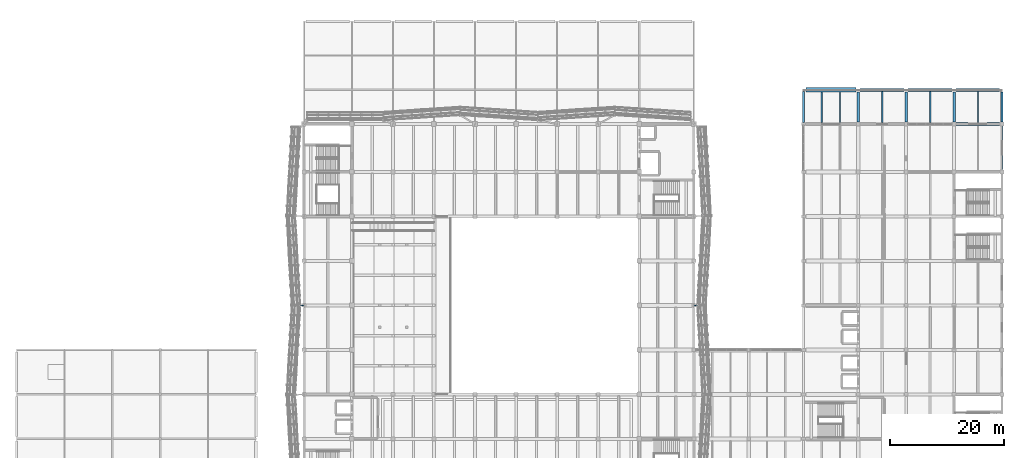
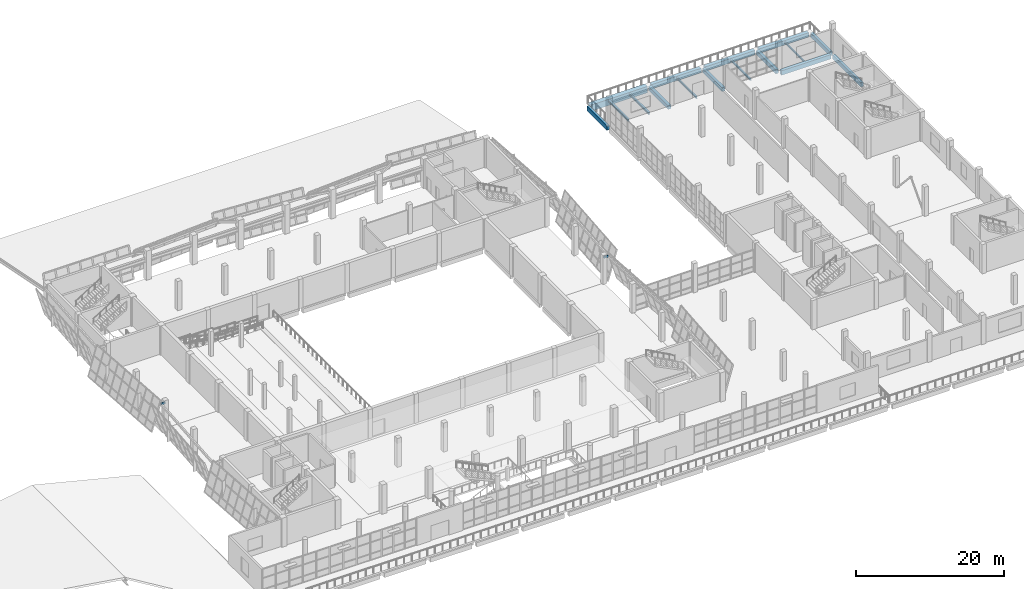
# One storey, part 47 of 79: 18 beams.
"""IFC4 building model written with IfcOpenShell, lengths in metres."""

from ifc_helpers import new_model, si_unit, direction, frame, origin, origin_2d, place, context, subcontext, project, spatial, rectangle, hollow_rectangle, i_section, extrude, material, material_profile, profile_set, type_object, element, save


model = new_model("IFC4")

# Units and contexts
model_context = context("Model", 3, precision=1e-05, world=origin(), true_north=direction((0.0, 1.0)))
body_context = subcontext(model_context, "Body", "Model", "MODEL_VIEW")
ifc_project = project(units=[si_unit("LENGTHUNIT", "METRE"), si_unit("AREAUNIT", "SQUARE_METRE"), si_unit("VOLUMEUNIT", "CUBIC_METRE"), si_unit("PLANEANGLEUNIT", "RADIAN"), si_unit("MASSUNIT", "GRAM", prefix="KILO")], contexts=[model_context])

# Site, building, storey
site_placement = place(None, origin())
site = spatial("IfcSite", under=ifc_project, at=site_placement, CompositionType="ELEMENT")
building_placement = place(site_placement, origin())
building = spatial("IfcBuilding", under=site, at=building_placement, Name="Pellamere Symphony Hall", CompositionType="ELEMENT")
storey_placement = place(building_placement, frame((0.0, 0.0, 10.199951171875)))
storey = spatial("IfcBuildingStorey", under=building, at=storey_placement, Name="L02", CompositionType="ELEMENT", Elevation=10.199951171875)

# Beams
ifc_material_1 = material(Name="Concrete 40 MPa", Category="concrete")
ifc_material_profile_1 = material_profile(ifc_material_1, rectangle(XDim=0.449951171875, YDim=0.64990234375, at=origin_2d()), Name="RC 450x650")
ifc_profile_set_1 = profile_set([ifc_material_profile_1], Name="Concrete 40 MPa")
beam_type_1 = type_object("IfcBeamType", Name="RC CB-08 450x650", PredefinedType="BEAM", material=ifc_profile_set_1)
for number, where, z_axis, x_axis, name in (
    (1, (147.60009765625, 93.949951171875, -0.60498046875), (0.0, 1.0, 0.0), (-1.0, 0.0, 0.0), "Girder CB-08-Y1364 (L02)"),
    (2, (156.0, 93.949951171875, -0.60498046875), (0.0, 1.0, 0.0), (-1.0, 0.0, 0.0), "Girder CB-08-Y1375 (L02)"),
    (3, (164.39990234375, 93.949951171875, -0.60498046875), (0.0, 1.0, 0.0), (-1.0, 0.0, 0.0), "Girder CB-08-Y1386 (L02)"),
):
    element("IfcBeam", number, at=place(storey_placement, frame(where, z_axis=z_axis, x_axis=x_axis)), inside=storey, type_object=beam_type_1, Name=name, PredefinedType="BEAM", context=body_context, shape_type="SweptSolid", body=[
        extrude(rectangle(XDim=0.449951171875, YDim=0.64990234375, at=origin_2d()), origin(), (0.0, 0.0, 1.0), 5.300048828125),
    ])
ifc_material_profile_2 = material_profile(ifc_material_1, rectangle(XDim=0.39990234375, YDim=0.699951171875, at=origin_2d()), Name="RC 400x700")
ifc_profile_set_2 = profile_set([ifc_material_profile_2], Name="Concrete 40 MPa")
beam_type_2 = type_object("IfcBeamType", Name="RC CB-13 400x700", PredefinedType="SPANDREL", material=ifc_profile_set_2)
beam_1_placement = place(storey_placement, frame((138.0, 93.875, -0.6298828125), z_axis=(0.0, 1.0, 0.0), x_axis=(-1.0, 0.0, 0.0)))
element("IfcBeam", 4, at=beam_1_placement, inside=storey, type_object=beam_type_2, Name="Girder CB-13-Y1353 (L02)", PredefinedType="SPANDREL", context=body_context, shape_type="SweptSolid", body=[
    extrude(rectangle(XDim=0.39990234375, YDim=0.699951171875, at=origin_2d()), origin(), (0.0, 0.0, 1.0), 5.449951171875),
])
beam_2_placement = place(storey_placement, frame((172.800048828125, 85.590087890625, -0.6298828125), z_axis=(0.0, 1.0, 0.0), x_axis=(-1.0, 0.0, 0.0)))
element("IfcBeam", 5, at=beam_2_placement, inside=storey, type_object=beam_type_2, Name="Girder CB-13-Y1393 (L02)", PredefinedType="SPANDREL", context=body_context, shape_type="SweptSolid", body=[
    extrude(rectangle(XDim=0.39990234375, YDim=0.699951171875, at=origin_2d()), origin(), (0.0, 0.0, 1.0), 7.619873046875),
])
beam_3_placement = place(storey_placement, frame((172.800048828125, 93.989990234375, -0.6298828125), z_axis=(0.0, 1.0, 0.0), x_axis=(-1.0, 0.0, 0.0)))
element("IfcBeam", 6, at=beam_3_placement, inside=storey, type_object=beam_type_2, Name="Girder CB-13-Y1394 (L02)", PredefinedType="SPANDREL", context=body_context, shape_type="SweptSolid", body=[
    extrude(rectangle(XDim=0.39990234375, YDim=0.699951171875, at=origin_2d()), origin(), (0.0, 0.0, 1.0), 5.219970703125),
])
ifc_material_profile_3 = material_profile(ifc_material_1, rectangle(XDim=0.47998046875, YDim=0.719970703125, at=origin_2d()), Name="RC 480x720")
ifc_profile_set_3 = profile_set([ifc_material_profile_3], Name="Concrete 40 MPa")
beam_type_3 = type_object("IfcBeamType", Name="RC CB-14 480x720", PredefinedType="SPANDREL", material=ifc_profile_set_3)
beam_4_placement = place(storey_placement, frame((164.75, 93.60009765625, -0.639892578125), z_axis=(1.0, 0.0, 0.0), x_axis=(0.0, 1.0, 0.0)))
element("IfcBeam", 7, at=beam_4_placement, inside=storey, type_object=beam_type_3, Name="Girder CB-14-X1189 (L02)", PredefinedType="SPANDREL", context=body_context, shape_type="SweptSolid", body=[
    extrude(rectangle(XDim=0.47998046875, YDim=0.719970703125, at=origin_2d()), origin(), (0.0, 0.0, 1.0), 7.659912109375),
])
ifc_material_profile_4 = material_profile(ifc_material_1, rectangle(XDim=0.719970703125, YDim=1.02001953125, at=origin_2d()), Name="RC 720x1020")
ifc_profile_set_4 = profile_set([ifc_material_profile_4], Name="Concrete 40 MPa")
beam_type_4 = type_object("IfcBeamType", Name="RC CB-23 720x1020", PredefinedType="BEAM", material=ifc_profile_set_4)
beam_5_placement = place(storey_placement, frame((138.39990234375, 99.60009765625, -0.7900390625), z_axis=(1.0, 0.0, 0.0), x_axis=(0.0, 1.0, 0.0)))
element("IfcBeam", 8, at=beam_5_placement, inside=storey, type_object=beam_type_4, Name="Girder CB-23-X1195 (L02)", PredefinedType="BEAM", context=body_context, shape_type="SweptSolid", body=[
    extrude(rectangle(XDim=0.719970703125, YDim=1.02001953125, at=origin_2d()), origin(), (0.0, 0.0, 1.0), 8.85009765625),
])
ifc_material_profile_5 = material_profile(ifc_material_1, rectangle(XDim=0.5400390625, YDim=0.719970703125, at=origin_2d()), Name="RC 540x720")
ifc_profile_set_5 = profile_set([ifc_material_profile_5], Name="Concrete 40 MPa")
beam_type_5 = type_object("IfcBeamType", Name="RC CB-24 540x720", PredefinedType="BEAM", material=ifc_profile_set_5)
for number, where, z_axis, x_axis, name in (
    (9, (147.949951171875, 99.60009765625, -0.639892578125), (1.0, 0.0, 0.0), (0.0, 1.0, 0.0), "Girder CB-24-X1196 (L02)"),
    (10, (156.35009765625, 99.60009765625, -0.639892578125), (1.0, 0.0, 0.0), (0.0, 1.0, 0.0), "Girder CB-24-X1197 (L02)"),
):
    element("IfcBeam", number, at=place(storey_placement, frame(where, z_axis=z_axis, x_axis=x_axis)), inside=storey, type_object=beam_type_5, Name=name, PredefinedType="BEAM", context=body_context, shape_type="SweptSolid", body=[
        extrude(rectangle(XDim=0.5400390625, YDim=0.719970703125, at=origin_2d()), origin(), (0.0, 0.0, 1.0), 7.699951171875),
    ])
beam_6_placement = place(storey_placement, frame((164.75, 99.60009765625, -0.639892578125), z_axis=(1.0, 0.0, 0.0), x_axis=(0.0, 1.0, 0.0)))
element("IfcBeam", 11, at=beam_6_placement, inside=storey, type_object=beam_type_5, Name="Girder CB-24-X1198 (L02)", PredefinedType="BEAM", context=body_context, shape_type="SweptSolid", body=[
    extrude(rectangle(XDim=0.5400390625, YDim=0.719970703125, at=origin_2d()), origin(), (0.0, 0.0, 1.0), 7.659912109375),
])
ifc_material_2 = material(Name="Steel CSA G40.21 350W", Category="steel")
ifc_material_profile_6 = material_profile(ifc_material_2, i_section(OverallWidth=0.25390625, OverallDepth=0.35302734375, WebThickness=0.009521484375, FlangeThickness=0.016357421875, at=origin_2d()), Name="W360X91")
ifc_profile_set_6 = profile_set([ifc_material_profile_6], Name="Steel CSA G40.21 350W")
beam_type_6 = type_object("IfcBeamType", Name="Steel Joist SB-20 W360X91", PredefinedType="JOIST", material=ifc_profile_set_6)
for number, where, z_axis, x_axis, name in (
    (12, (141.199951171875, 93.840087890625, -0.471435546875), (0.0, 1.0, 0.0), (-1.0, 0.0, 0.0), "Secondary Floor Beam SB-20-A1712 (L02)"),
    (13, (144.39990234375, 93.840087890625, -0.471435546875), (0.0, 1.0, 0.0), (-1.0, 0.0, 0.0), "Secondary Floor Beam SB-20-B1712 (L02)"),
):
    element("IfcBeam", number, at=place(storey_placement, frame(where, z_axis=z_axis, x_axis=x_axis)), inside=storey, type_object=beam_type_6, Name=name, PredefinedType="JOIST", context=body_context, shape_type="SweptSolid", body=[
        extrude(i_section(OverallWidth=0.25390625, OverallDepth=0.35302734375, WebThickness=0.009521484375, FlangeThickness=0.016357421875, at=origin_2d()), origin(), (0.0, 0.0, 1.0), 5.39990234375),
    ])
ifc_material_profile_7 = material_profile(ifc_material_2, i_section(OverallWidth=0.202880859375, OverallDepth=0.302978515625, WebThickness=0.007568359375, FlangeThickness=0.01318359375, at=origin_2d()), Name="W310X60")
ifc_profile_set_7 = profile_set([ifc_material_profile_7], Name="Steel CSA G40.21 350W")
beam_type_7 = type_object("IfcBeamType", Name="Steel Joist SB-23 W310X60", PredefinedType="JOIST", material=ifc_profile_set_7)
beam_7_placement = place(storey_placement, frame((151.800048828125, 93.840087890625, -0.446533203125), z_axis=(0.0, 1.0, 0.0), x_axis=(-1.0, 0.0, 0.0)))
element("IfcBeam", 14, at=beam_7_placement, inside=storey, type_object=beam_type_7, Name="Secondary Floor Beam SB-23-M1812 (L02)", PredefinedType="JOIST", context=body_context, shape_type="SweptSolid", body=[
    extrude(i_section(OverallWidth=0.202880859375, OverallDepth=0.302978515625, WebThickness=0.007568359375, FlangeThickness=0.01318359375, at=origin_2d()), origin(), (0.0, 0.0, 1.0), 5.489990234375),
])
ifc_material_profile_8 = material_profile(ifc_material_2, i_section(OverallWidth=0.25390625, OverallDepth=0.2529296875, WebThickness=0.008544921875, FlangeThickness=0.01416015625, at=origin_2d()), Name="W250X73")
ifc_profile_set_8 = profile_set([ifc_material_profile_8], Name="Steel CSA G40.21 350W")
beam_type_8 = type_object("IfcBeamType", Name="Steel Joist SB-24 W250X73", PredefinedType="JOIST", material=ifc_profile_set_8)
beam_8_placement = place(storey_placement, frame((160.199951171875, 93.840087890625, -0.42138671875), z_axis=(0.0, 1.0, 0.0), x_axis=(-1.0, 0.0, 0.0)))
element("IfcBeam", 15, at=beam_8_placement, inside=storey, type_object=beam_type_8, Name="Secondary Floor Beam SB-24-M1912 (L02)", PredefinedType="JOIST", context=body_context, shape_type="SweptSolid", body=[
    extrude(i_section(OverallWidth=0.25390625, OverallDepth=0.2529296875, WebThickness=0.008544921875, FlangeThickness=0.01416015625, at=origin_2d()), origin(), (0.0, 0.0, 1.0), 5.489990234375),
])
ifc_material_profile_9 = material_profile(ifc_material_2, i_section(OverallWidth=0.201904296875, OverallDepth=0.2470703125, WebThickness=0.00732421875, FlangeThickness=0.010986328125, at=origin_2d()), Name="W250X49")
ifc_profile_set_9 = profile_set([ifc_material_profile_9], Name="Steel CSA G40.21 350W")
beam_type_9 = type_object("IfcBeamType", Name="Steel Joist SB-25 W250X49", PredefinedType="JOIST", material=ifc_profile_set_9)
beam_9_placement = place(storey_placement, frame((168.60009765625, 93.840087890625, -0.41845703125), z_axis=(0.0, 1.0, 0.0), x_axis=(-1.0, 0.0, 0.0)))
element("IfcBeam", 16, at=beam_9_placement, inside=storey, type_object=beam_type_9, Name="Secondary Floor Beam SB-25-M2012 (L02)", PredefinedType="JOIST", context=body_context, shape_type="SweptSolid", body=[
    extrude(i_section(OverallWidth=0.201904296875, OverallDepth=0.2470703125, WebThickness=0.00732421875, FlangeThickness=0.010986328125, at=origin_2d()), origin(), (0.0, 0.0, 1.0), 5.489990234375),
])
ifc_material_profile_10 = material_profile(ifc_material_2, hollow_rectangle(XDim=0.203125, YDim=0.3046875, WallThickness=0.0126953125, at=origin_2d()), Name="HSS305X203X13")
ifc_profile_set_10 = profile_set([ifc_material_profile_10], Name="Steel CSA G40.21 350W")
beam_type_10 = type_object("IfcBeamType", Name="Steel Spandrel SB-26 HSS305X203X13", PredefinedType="SPANDREL", material=ifc_profile_set_10)
for number, where, z_axis, x_axis, name in (
    (17, (118.800048828125, 61.800048828125, 4.239990234375), (1.0, 0.0, 0.0), (0.0, 1.0, 0.0), "Crystal Ring Outrigger Bracket 021 (L02)"),
    (18, (50.39990234375, 61.800048828125, 4.239990234375), (-1.0, 0.0, 0.0), (0.0, -1.0, 0.0), "Crystal Ring Outrigger Bracket 101 (L02)"),
):
    element("IfcBeam", number, at=place(storey_placement, frame(where, z_axis=z_axis, x_axis=x_axis)), inside=storey, type_object=beam_type_10, Name=name, PredefinedType="SPANDREL", context=body_context, shape_type="SweptSolid", body=[
        extrude(hollow_rectangle(XDim=0.203125, YDim=0.3046875, WallThickness=0.0126953125, at=origin_2d()), origin(), (0.0, 0.0, 1.0), 0.64990234375),
    ])

save(model, "model.ifc")
